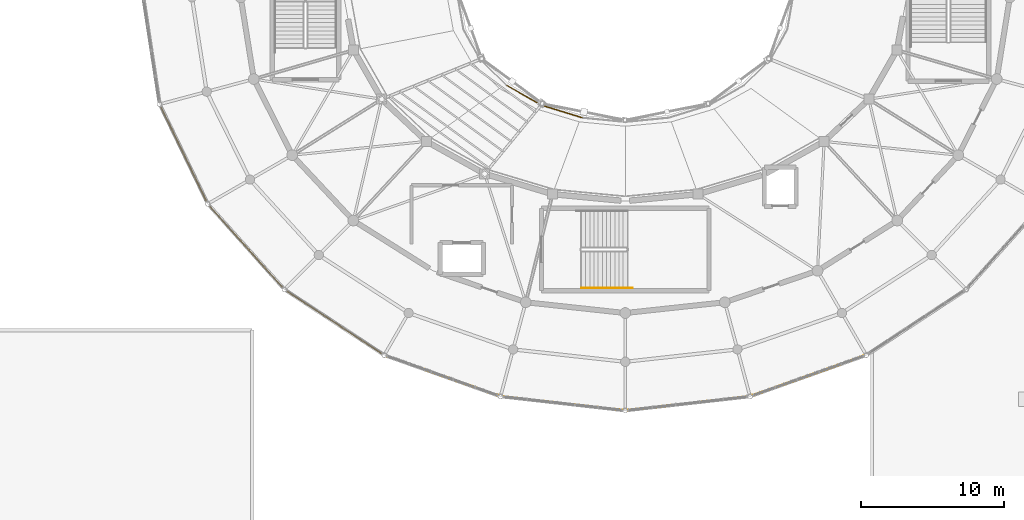
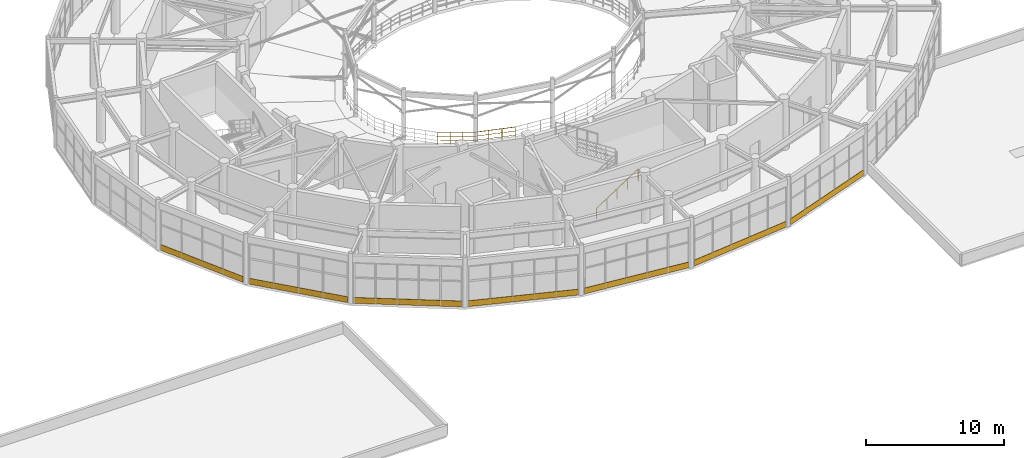
# One storey, part 103 of 112: 7 coverings, 3 railings.
"""IFC4 building model written with IfcOpenShell, lengths in metres."""

from ifc_helpers import new_model, si_unit, direction, frame, origin, origin_2d, place, context, subcontext, project, spatial, rectangle, circle, extrude, material, layer, layer_set, type_object, element, save


model = new_model("IFC4")

# Units and contexts
model_context = context("Model", 3, precision=1e-05, world=origin(), true_north=direction((0.0, 1.0)))
body_context = subcontext(model_context, "Body", "Model", "MODEL_VIEW")
ifc_project = project(units=[si_unit("LENGTHUNIT", "METRE"), si_unit("AREAUNIT", "SQUARE_METRE"), si_unit("VOLUMEUNIT", "CUBIC_METRE"), si_unit("PLANEANGLEUNIT", "RADIAN"), si_unit("MASSUNIT", "GRAM", prefix="KILO")], contexts=[model_context])

# Site, building, storey
site_placement = place(None, origin())
site = spatial("IfcSite", under=ifc_project, at=site_placement, CompositionType="ELEMENT")
building_placement = place(site_placement, origin())
building = spatial("IfcBuilding", under=site, at=building_placement, Name="Cinderbank Siding Concert Hall", CompositionType="ELEMENT")
storey_placement = place(building_placement, frame((0.0, 0.0, 10.199951171875)))
storey = spatial("IfcBuildingStorey", under=building, at=storey_placement, Name="L03", CompositionType="ELEMENT", Elevation=10.199951171875)

# Railings
ifc_material_1 = material(Name="Spotted gum glulam timber GL18 (42 MPa)", Category="wood")
railing_type_1 = type_object("IfcRailingType", Name="BAL-01 Auditorium Tier Balustrade 1120mm", PredefinedType="BALUSTRADE", material=ifc_material_1)
railing_1_placement = place(storey_placement, frame((113.740966796875, 37.8623046875, 0.0)))
element("IfcRailing", 1, at=railing_1_placement, inside=storey, type_object=railing_type_1, Name="L03 Auditorium Circle Balustrade 16", PredefinedType="BALUSTRADE", context=body_context, shape_type="SweptSolid", body=[
    extrude(circle(Radius=0.02392578125, at=origin_2d()), frame((0.0, 0.0, 1.09619140625), z_axis=(0.868685219128, -0.495364502228, 0.0), x_axis=(0.495364502228, 0.868685219128, 0.0)), (0.0, 0.0, 1.0), 2.78466796875),
    extrude(circle(Radius=0.01611328125, at=origin_2d()), frame((0.0, 0.0, 0.36962890625), z_axis=(0.868685219128, -0.495364502228, 0.0), x_axis=(0.495364502228, 0.868685219128, 0.0)), (0.0, 0.0, 1.0), 2.78466796875),
    extrude(circle(Radius=0.01611328125, at=origin_2d()), frame((0.0, 0.0, 0.7392578125), z_axis=(0.868685219128, -0.495364502228, 0.0), x_axis=(0.495364502228, 0.868685219128, 0.0)), (0.0, 0.0, 1.0), 2.78466796875),
    extrude(circle(Radius=0.02099609375, at=origin_2d()), origin(), (0.0, 0.0, 1.0), 1.072021484375),
    extrude(circle(Radius=0.02099609375, at=origin_2d()), frame((0.806396484375, -0.459716796875, 0.0)), (0.0, 0.0, 1.0), 1.072021484375),
    extrude(circle(Radius=0.02099609375, at=origin_2d()), frame((1.612548828125, -0.919677734375, 0.0)), (0.0, 0.0, 1.0), 1.072021484375),
    extrude(circle(Radius=0.02099609375, at=origin_2d()), frame((2.4189453125, -1.37939453125, 0.0)), (0.0, 0.0, 1.0), 1.072021484375),
])
railing_2_placement = place(storey_placement, frame((116.159912109375, 36.48291015625, 0.0)))
element("IfcRailing", 2, at=railing_2_placement, inside=storey, type_object=railing_type_1, Name="L03 Auditorium Circle Balustrade 17", PredefinedType="BALUSTRADE", context=body_context, shape_type="SweptSolid", body=[
    extrude(circle(Radius=0.02392578125, at=origin_2d()), frame((0.0, 0.0, 1.09619140625), z_axis=(0.955743184461, -0.294202252466, 0.0), x_axis=(0.294202252466, 0.955743184461, 0.0)), (0.0, 0.0, 1.0), 2.947509765625),
    extrude(circle(Radius=0.01611328125, at=origin_2d()), frame((0.0, 0.0, 0.36962890625), z_axis=(0.955743184461, -0.294202252466, 0.0), x_axis=(0.294202252466, 0.955743184461, 0.0)), (0.0, 0.0, 1.0), 2.947509765625),
    extrude(circle(Radius=0.01611328125, at=origin_2d()), frame((0.0, 0.0, 0.7392578125), z_axis=(0.955743184461, -0.294202252466, 0.0), x_axis=(0.294202252466, 0.955743184461, 0.0)), (0.0, 0.0, 1.0), 2.947509765625),
    extrude(circle(Radius=0.02099609375, at=origin_2d()), origin(), (0.0, 0.0, 1.0), 1.072021484375),
    extrude(circle(Radius=0.02099609375, at=origin_2d()), frame((0.93896484375, -0.2890625, 0.0)), (0.0, 0.0, 1.0), 1.072021484375),
    extrude(circle(Radius=0.02099609375, at=origin_2d()), frame((1.878173828125, -0.578125, 0.0)), (0.0, 0.0, 1.0), 1.072021484375),
    extrude(circle(Radius=0.02099609375, at=origin_2d()), frame((2.817138671875, -0.8671875, 0.0)), (0.0, 0.0, 1.0), 1.072021484375),
])

# Coverings
ifc_layer = layer(ifc_material_1, 0.06494140625)
ifc_layer_set = layer_set([ifc_layer], Name="Spotted gum glulam timber GL18 (42 MPa)")
covering_type = type_object("IfcCoveringType", Name="CL-01 Spotted Gum Spandrel Band 520mm", PredefinedType="CLADDING", material=ifc_layer_set)
covering_1_placement = place(storey_placement, frame((91.22314453125, 33.072998046875, 0.0), z_axis=(0.0, 0.0, 1.0), x_axis=(0.435102109714, -0.900381116041, 0.0)))
element("IfcCovering", 3, at=covering_1_placement, inside=storey, type_object=covering_type, Name="CW-L03-038 Spotted Gum Spandrel Band", PredefinedType="CLADDING", context=body_context, shape_type="SweptSolid", body=[
    extrude(rectangle(XDim=7.260498046875, YDim=0.06494140625, at=origin_2d()), origin(), (0.0, 0.0, 1.0), 0.52001953125),
])
covering_2_placement = place(storey_placement, frame((95.5712890625, 26.61767578125, 0.0), z_axis=(0.0, 0.0, 1.0), x_axis=(0.666993465338, -0.745063565877, 0.0)))
element("IfcCovering", 4, at=covering_2_placement, inside=storey, type_object=covering_type, Name="CW-L03-039 Spotted Gum Spandrel Band", PredefinedType="CLADDING", context=body_context, shape_type="SweptSolid", body=[
    extrude(rectangle(XDim=7.5517578125, YDim=0.06494140625, at=origin_2d()), origin(), (0.0, 0.0, 1.0), 0.52001953125),
])
covering_3_placement = place(storey_placement, frame((101.720703125, 21.346923828125, 0.0), z_axis=(0.0, 0.0, 1.0), x_axis=(0.835491932304, -0.549502712509, 0.0)))
element("IfcCovering", 5, at=covering_3_placement, inside=storey, type_object=covering_type, Name="CW-L03-040 Spotted Gum Spandrel Band", PredefinedType="CLADDING", context=body_context, shape_type="SweptSolid", body=[
    extrude(rectangle(XDim=7.875, YDim=0.06494140625, at=origin_2d()), origin(), (0.0, 0.0, 1.0), 0.52001953125),
])
covering_4_placement = place(storey_placement, frame((109.251953125, 17.619873046875, 0.0), z_axis=(0.0, 0.0, 1.0), x_axis=(0.942365662238, -0.334584755532, 0.0)))
element("IfcCovering", 6, at=covering_4_placement, inside=storey, type_object=covering_type, Name="CW-L03-041 Spotted Gum Spandrel Band", PredefinedType="CLADDING", context=body_context, shape_type="SweptSolid", body=[
    extrude(rectangle(XDim=8.1455078125, YDim=0.06494140625, at=origin_2d()), origin(), (0.0, 0.0, 1.0), 0.52001953125),
])
for number, where, z_axis, x_axis, name in (
    (7, (117.65185546875, 15.690673828125, 0.0), (0.0, 0.0, 1.0), (0.993693605349, -0.112129472879, 0.0), "CW-L03-042 Spotted Gum Spandrel Band"),
    (8, (126.34814453125, 15.690673828125, 0.0), (0.0, 0.0, 1.0), (0.993693605349, 0.112129472879, 0.0), "CW-L03-043 Spotted Gum Spandrel Band"),
):
    element("IfcCovering", number, at=place(storey_placement, frame(where, z_axis=z_axis, x_axis=x_axis)), inside=storey, type_object=covering_type, Name=name, PredefinedType="CLADDING", context=body_context, shape_type="SweptSolid", body=[
        extrude(rectangle(XDim=8.297607421875, YDim=0.06494140625, at=origin_2d()), origin(), (0.0, 0.0, 1.0), 0.52001953125),
    ])
covering_5_placement = place(storey_placement, frame((134.748291015625, 17.619873046875, 0.0), z_axis=(0.0, 0.0, 1.0), x_axis=(0.942365662238, 0.334584755532, 0.0)))
element("IfcCovering", 9, at=covering_5_placement, inside=storey, type_object=covering_type, Name="CW-L03-044 Spotted Gum Spandrel Band", PredefinedType="CLADDING", context=body_context, shape_type="SweptSolid", body=[
    extrude(rectangle(XDim=8.1455078125, YDim=0.06494140625, at=origin_2d()), origin(), (0.0, 0.0, 1.0), 0.52001953125),
])

# Railing
ifc_material_2 = material(Name="Structural steel AS/NZS 3679.1 Grade 350 (340 MPa)", Category="steel")
railing_type_2 = type_object("IfcRailingType", Name="STH-01 Stair Pitch Handrail 920mm", PredefinedType="HANDRAIL", material=ifc_material_2)
railing_3_placement = place(storey_placement, frame((118.949951171875, 23.75, 0.1875)))
element("IfcRailing", 10, at=railing_3_placement, inside=storey, type_object=railing_type_2, Name="L03 ST-02 stair handrail 1", PredefinedType="HANDRAIL", context=body_context, shape_type="SweptSolid", body=[
    extrude(circle(Radius=0.02392578125, at=origin_2d()), frame((0.0, 0.0, 0.89599609375), z_axis=(0.839762940478, 0.0, 0.542953224319), x_axis=(0.0, 1.0, 0.0)), (0.0, 0.0, 1.0), 4.14404296875),
    extrude(circle(Radius=0.02392578125, at=origin_2d()), frame((3.47998046875, 0.0, 3.14599609375), z_axis=(1.0, 0.0, 0.0), x_axis=(0.0, 1.0, 0.0)), (0.0, 0.0, 1.0), 0.06005859375),
    extrude(circle(Radius=0.02099609375, at=origin_2d()), origin(), (0.0, 0.0, 1.0), 0.871826171875),
    extrude(circle(Radius=0.02099609375, at=origin_2d()), frame((0.8701171875, 0.0, 0.5625)), (0.0, 0.0, 1.0), 0.871826171875),
    extrude(circle(Radius=0.02099609375, at=origin_2d()), frame((1.739990234375, 0.0, 1.125)), (0.0, 0.0, 1.0), 0.871826171875),
    extrude(circle(Radius=0.02099609375, at=origin_2d()), frame((2.60986328125, 0.0, 1.6875)), (0.0, 0.0, 1.0), 0.871826171875),
    extrude(circle(Radius=0.02099609375, at=origin_2d()), frame((3.47998046875, 0.0, 2.25)), (0.0, 0.0, 1.0), 0.871826171875),
    extrude(circle(Radius=0.02099609375, at=origin_2d()), frame((3.5400390625, 0.0, 2.0625)), (0.0, 0.0, 1.0), 1.059326171875),
])

save(model, "model.ifc")
